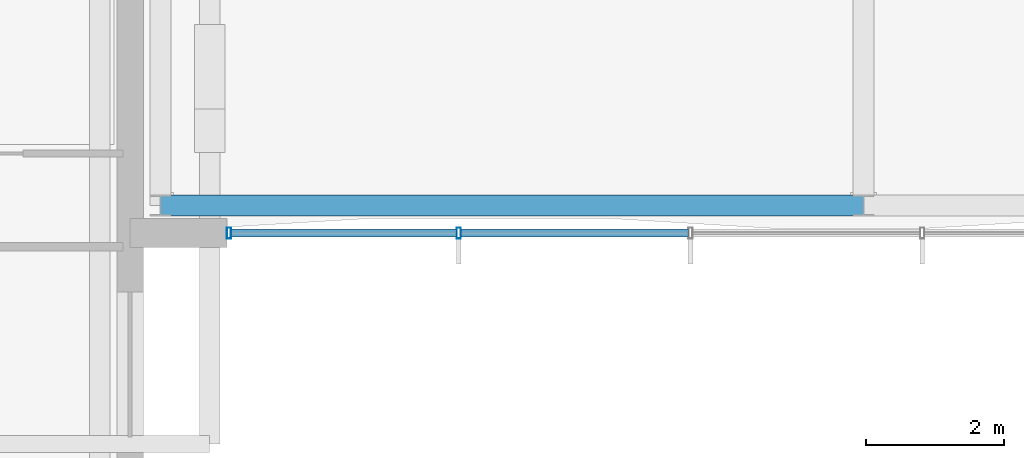
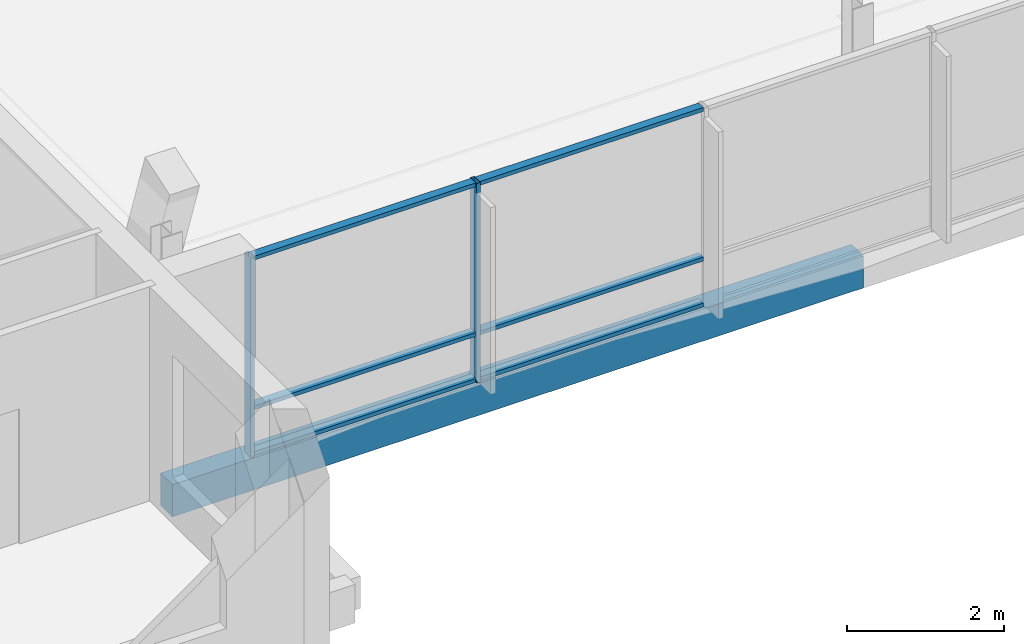
# One storey, part 78 of 189: 8 members, 1 beam, 1 element without a shape of its own.
"""IFC4 building model written with IfcOpenShell, lengths in metres."""

from ifc_helpers import new_model, si_unit, direction, frame, origin, origin_2d, place, context, subcontext, project, spatial, rectangle, hollow_rectangle, extrude, material, material_profile, profile_set, type_object, element, aggregate, save


model = new_model("IFC4")

# Units and contexts
model_context = context("Model", 3, precision=1e-05, world=origin(), true_north=direction((0.0, 1.0)))
body_context = subcontext(model_context, "Body", "Model", "MODEL_VIEW")
ifc_project = project(units=[si_unit("LENGTHUNIT", "METRE"), si_unit("AREAUNIT", "SQUARE_METRE"), si_unit("VOLUMEUNIT", "CUBIC_METRE"), si_unit("PLANEANGLEUNIT", "RADIAN"), si_unit("MASSUNIT", "GRAM", prefix="KILO")], contexts=[model_context])

# Site, building, storey
site_placement = place(None, origin())
site = spatial("IfcSite", under=ifc_project, at=site_placement, CompositionType="ELEMENT")
building_placement = place(site_placement, origin())
building = spatial("IfcBuilding", under=site, at=building_placement, Name="Zavelmont Quarter", CompositionType="ELEMENT")
storey_placement = place(building_placement, frame((0.0, 0.0, 4.39990234375)))
storey = spatial("IfcBuildingStorey", under=building, at=storey_placement, Name="L01", CompositionType="ELEMENT", Elevation=4.39990234375)

# Beam
ifc_material_1 = material(Name="Concrete C35/45", Category="concrete")
ifc_material_profile_1 = material_profile(ifc_material_1, rectangle(XDim=0.300048828125, YDim=0.5, at=origin_2d()), Name="RC300X500")
ifc_profile_set_1 = profile_set([ifc_material_profile_1], Name="Concrete C35/45")
beam_type = type_object("IfcBeamType", Name="BM03", PredefinedType="BEAM", material=ifc_profile_set_1)
beam_placement = place(storey_placement, frame((55.639892578125, 102.0, -0.52978515625), z_axis=(1.0, 0.0, 0.0), x_axis=(0.0, 1.0, 0.0)))
element("IfcBeam", 1, at=beam_placement, inside=storey, type_object=beam_type, Name="L01 beam BM03 9/Q to 10/Q", PredefinedType="BEAM", context=body_context, shape_type="SweptSolid", body=[
    extrude(rectangle(XDim=0.300048828125, YDim=0.5, at=origin_2d()), origin(), (0.0, 0.0, 1.0), 10.16015625),
])

# Curtain wall, members
ifc_material_2 = material(Name="Thermally broken aluminium and double low-E safety glazing", Category="aluminium")
curtain_wall_type = type_object("IfcCurtainWallType", Name="CW-1340X310", PredefinedType="NOTDEFINED", material=ifc_material_2)
curtain_wall_placement = place(storey_placement, origin())
curtain_wall = element("IfcCurtainWall", 2, at=curtain_wall_placement, inside=storey, type_object=curtain_wall_type, Name="L01 unitised curtain wall CW-1340X310", PredefinedType="NOTDEFINED")
ifc_material_3 = material(Name="Powder-coated aluminium EN AW-6063-T6", Category="aluminium")
ifc_material_profile_2 = material_profile(ifc_material_3, hollow_rectangle(XDim=0.06005859375, YDim=0.159912109375, WallThickness=0.00390625, at=origin_2d()), Name="CWM60X160")
ifc_profile_set_2 = profile_set([ifc_material_profile_2], Name="Powder-coated aluminium EN AW-6063-T6")
member_type_1 = type_object("IfcMemberType", Name="CWM01", PredefinedType="MULLION", material=ifc_profile_set_2)
member_1_placement = place(storey_placement, frame((56.6298828125, 101.60009765625, 0.0), z_axis=(0.0, 0.0, 1.0), x_axis=(1.0, 0.0, 0.0)))
member_1 = element("IfcMember", 3, at=member_1_placement, type_object=member_type_1, Name="CW-1340X310 mullion 1", PredefinedType="MULLION", context=body_context, shape_type="SweptSolid", body=[
    extrude(hollow_rectangle(XDim=0.06005859375, YDim=0.159912109375, WallThickness=0.00390625, at=origin_2d()), origin(), (0.0, 0.0, 1.0), 3.10009765625),
])
member_2_placement = place(storey_placement, frame((59.949951171875, 101.60009765625, 0.0), z_axis=(0.0, 0.0, 1.0), x_axis=(1.0, 0.0, 0.0)))
member_2 = element("IfcMember", 4, at=member_2_placement, type_object=member_type_1, Name="CW-1340X310 mullion 2", PredefinedType="MULLION", context=body_context, shape_type="SweptSolid", body=[
    extrude(hollow_rectangle(XDim=0.06005859375, YDim=0.159912109375, WallThickness=0.00390625, at=origin_2d()), origin(), (0.0, 0.0, 1.0), 3.10009765625),
])
ifc_material_profile_3 = material_profile(ifc_material_3, hollow_rectangle(XDim=0.1201171875, YDim=0.06005859375, WallThickness=0.00390625, at=origin_2d()), Name="CWT60X120")
ifc_profile_set_3 = profile_set([ifc_material_profile_3], Name="Powder-coated aluminium EN AW-6063-T6")
member_type_2 = type_object("IfcMemberType", Name="CWT01", PredefinedType="NOTDEFINED", material=ifc_profile_set_3)
member_3_placement = place(storey_placement, frame((56.659912109375, 101.60009765625, 0.030029296875), z_axis=(1.0, 0.0, 0.0), x_axis=(0.0, 1.0, 0.0)))
member_3 = element("IfcMember", 5, at=member_3_placement, type_object=member_type_2, Name="CW-1340X310 transom 1.1", ObjectType="TRANSOM", PredefinedType="USERDEFINED", context=body_context, shape_type="SweptSolid", body=[
    extrude(hollow_rectangle(XDim=0.1201171875, YDim=0.06005859375, WallThickness=0.00390625, at=origin_2d()), origin(), (0.0, 0.0, 1.0), 3.260009765625),
])
member_4_placement = place(storey_placement, frame((56.659912109375, 101.60009765625, 0.744140625), z_axis=(1.0, 0.0, 0.0), x_axis=(0.0, 1.0, 0.0)))
member_4 = element("IfcMember", 6, at=member_4_placement, type_object=member_type_2, Name="CW-1340X310 transom 1.2", ObjectType="TRANSOM", PredefinedType="USERDEFINED", context=body_context, shape_type="SweptSolid", body=[
    extrude(hollow_rectangle(XDim=0.1201171875, YDim=0.06005859375, WallThickness=0.00390625, at=origin_2d()), origin(), (0.0, 0.0, 1.0), 3.260009765625),
])
member_5_placement = place(storey_placement, frame((56.659912109375, 101.60009765625, 3.070068359375), z_axis=(1.0, 0.0, 0.0), x_axis=(0.0, 1.0, 0.0)))
member_5 = element("IfcMember", 7, at=member_5_placement, type_object=member_type_2, Name="CW-1340X310 transom 1.3", ObjectType="TRANSOM", PredefinedType="USERDEFINED", context=body_context, shape_type="SweptSolid", body=[
    extrude(hollow_rectangle(XDim=0.1201171875, YDim=0.06005859375, WallThickness=0.00390625, at=origin_2d()), origin(), (0.0, 0.0, 1.0), 3.260009765625),
])
member_6_placement = place(storey_placement, frame((59.97998046875, 101.60009765625, 0.030029296875), z_axis=(1.0, 0.0, 0.0), x_axis=(0.0, 1.0, 0.0)))
member_6 = element("IfcMember", 8, at=member_6_placement, type_object=member_type_2, Name="CW-1340X310 transom 2.1", ObjectType="TRANSOM", PredefinedType="USERDEFINED", context=body_context, shape_type="SweptSolid", body=[
    extrude(hollow_rectangle(XDim=0.1201171875, YDim=0.06005859375, WallThickness=0.00390625, at=origin_2d()), origin(), (0.0, 0.0, 1.0), 3.2900390625),
])
member_7_placement = place(storey_placement, frame((59.97998046875, 101.60009765625, 0.744140625), z_axis=(1.0, 0.0, 0.0), x_axis=(0.0, 1.0, 0.0)))
member_7 = element("IfcMember", 9, at=member_7_placement, type_object=member_type_2, Name="CW-1340X310 transom 2.2", ObjectType="TRANSOM", PredefinedType="USERDEFINED", context=body_context, shape_type="SweptSolid", body=[
    extrude(hollow_rectangle(XDim=0.1201171875, YDim=0.06005859375, WallThickness=0.00390625, at=origin_2d()), origin(), (0.0, 0.0, 1.0), 3.2900390625),
])
member_8_placement = place(storey_placement, frame((59.97998046875, 101.60009765625, 3.070068359375), z_axis=(1.0, 0.0, 0.0), x_axis=(0.0, 1.0, 0.0)))
member_8 = element("IfcMember", 10, at=member_8_placement, type_object=member_type_2, Name="CW-1340X310 transom 2.3", ObjectType="TRANSOM", PredefinedType="USERDEFINED", context=body_context, shape_type="SweptSolid", body=[
    extrude(hollow_rectangle(XDim=0.1201171875, YDim=0.06005859375, WallThickness=0.00390625, at=origin_2d()), origin(), (0.0, 0.0, 1.0), 3.2900390625),
])
aggregate(curtain_wall, [member_1, member_2, member_3, member_4, member_5, member_6, member_7, member_8])

save(model, "model.ifc")
